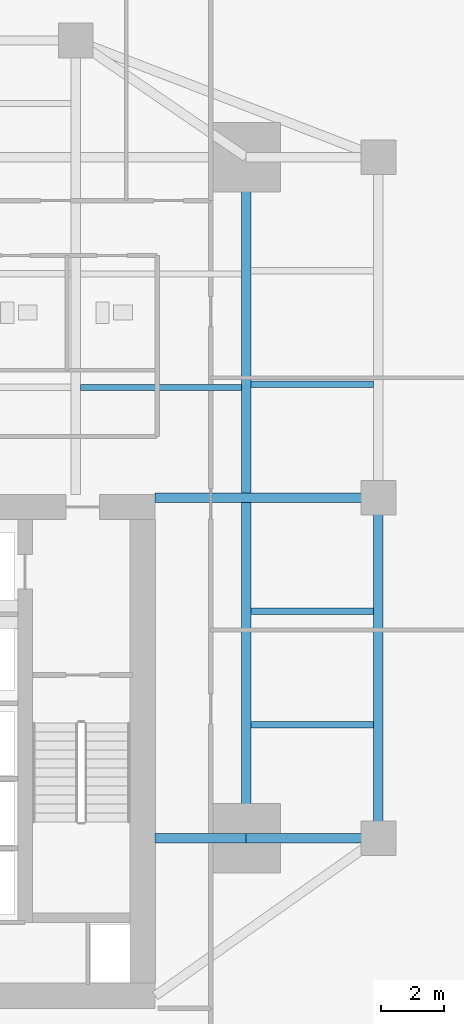
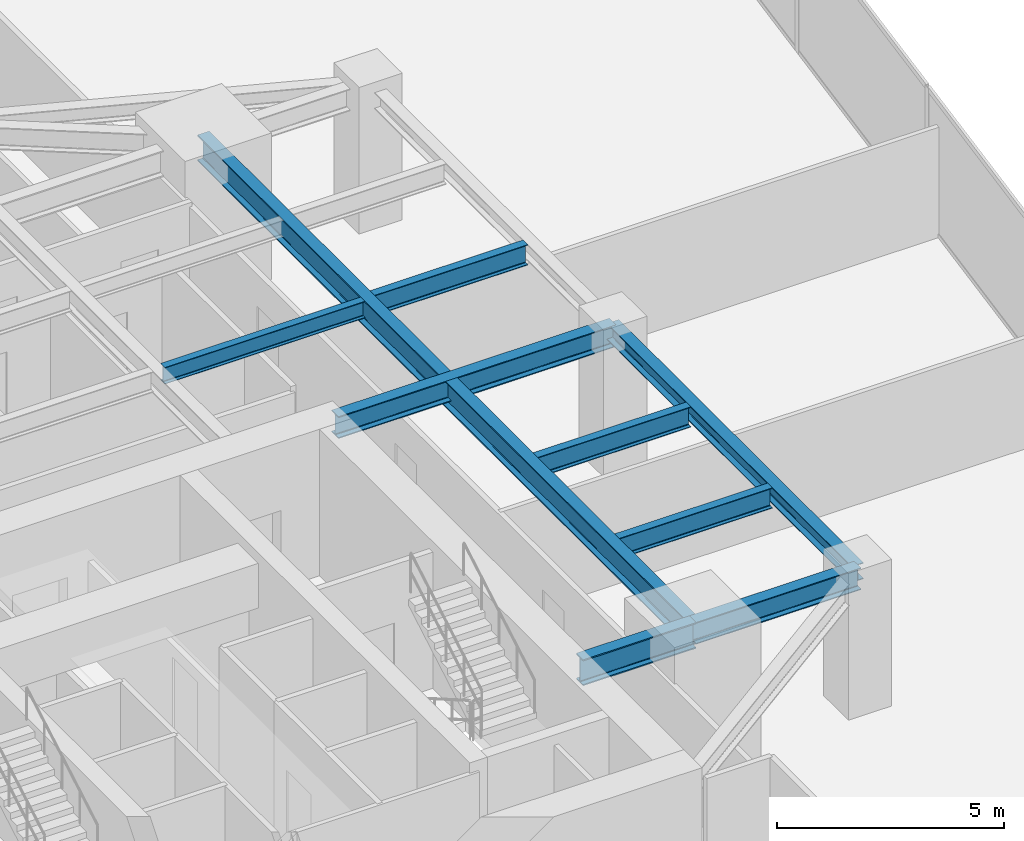
# One storey, part 13 of 28: 9 beams.
"""IFC4 building model written with IfcOpenShell, lengths in metres."""

from ifc_helpers import new_model, si_unit, direction, frame, origin, origin_2d, place, context, subcontext, project, spatial, i_section, extrude, source, transform, mapped, material, material_profile, profile_set, type_object, type_shapes, element, save


model = new_model("IFC4")

# Units and contexts
model_context = context("Model", 3, precision=1e-05, world=origin(), true_north=direction((0.0, 1.0)))
body_context = subcontext(model_context, "Body", "Model", "MODEL_VIEW")
ifc_project = project(units=[si_unit("LENGTHUNIT", "METRE"), si_unit("AREAUNIT", "SQUARE_METRE"), si_unit("VOLUMEUNIT", "CUBIC_METRE"), si_unit("PLANEANGLEUNIT", "RADIAN"), si_unit("MASSUNIT", "GRAM", prefix="KILO")], contexts=[model_context])

# Site, building, storey
site_placement = place(None, origin())
site = spatial("IfcSite", under=ifc_project, at=site_placement, CompositionType="ELEMENT")
building_placement = place(site_placement, origin())
building = spatial("IfcBuilding", under=site, at=building_placement, Name="Krantzveldt Concourse Tower", CompositionType="ELEMENT")
storey_placement = place(building_placement, frame((0.0, 0.0, 64.5)))
storey = spatial("IfcBuildingStorey", under=building, at=storey_placement, Name="L15", CompositionType="ELEMENT", Elevation=64.5)

# Beams
ifc_material_1 = material(Name="Steel S355J2", Category="steel")
ifc_material_profile_1 = material_profile(ifc_material_1, i_section(OverallWidth=0.300048828125, OverallDepth=0.699951171875, WebThickness=0.01708984375, FlangeThickness=0.031982421875, FilletRadius=0.027099609375, at=origin_2d()), Name="Steel S355J2", Category="steel")
ifc_profile_set_1 = profile_set([ifc_material_profile_1], Name="Steel S355J2 - HEB 700")
beam_type_1 = type_object("IfcBeamType", Name="BM-B-HEB700", PredefinedType="BEAM", material=ifc_profile_set_1)
shared_shape_1 = source(origin(), body_context, "Body", "SweptSolid", [
    extrude(i_section(OverallWidth=0.300048828125, OverallDepth=0.699951171875, WebThickness=0.01708984375, FlangeThickness=0.031982421875, FilletRadius=0.027099609375, at=origin_2d()), origin(), (0.0, 0.0, 1.0), 2.880126953125),
])
beam_1_placement = place(storey_placement, frame((43.919921875, 15.89990234375, 3.320068359375), z_axis=(1.0, 0.0, 0.0), x_axis=(0.0, 1.0, 0.0)))
element("IfcBeam", 1, at=beam_1_placement, inside=storey, type_object=beam_type_1, Name="L15 Tower Girder BG-CE1", PredefinedType="BEAM", context=body_context, shape_type="MappedRepresentation", body=[
    mapped(shared_shape_1, transform((0.0, 0.0, 0.0), x_axis=(1.0, 0.0, 0.0), y_axis=(0.0, 1.0, 0.0), z_axis=(0.0, 0.0, 1.0), scale=1.0)),
])
shared_shape_2 = source(origin(), body_context, "Body", "SweptSolid", [
    extrude(i_section(OverallWidth=0.300048828125, OverallDepth=0.699951171875, WebThickness=0.01708984375, FlangeThickness=0.031982421875, FilletRadius=0.027099609375, at=origin_2d()), origin(), (0.0, 0.0, 1.0), 21.60009765625),
])
type_shapes(beam_type_1, [shared_shape_1, shared_shape_2])
beam_2_placement = place(storey_placement, frame((46.800048828125, 15.89990234375, 3.320068359375), z_axis=(0.0, 1.0, 0.0), x_axis=(-1.0, 0.0, 0.0)))
element("IfcBeam", 2, at=beam_2_placement, inside=storey, type_object=beam_type_1, Name="L15 Tower Girder BG-ME", PredefinedType="BEAM", context=body_context, shape_type="MappedRepresentation", body=[
    mapped(shared_shape_2, transform((0.0, 0.0, 0.0), x_axis=(1.0, 0.0, 0.0), y_axis=(0.0, 1.0, 0.0), z_axis=(0.0, 0.0, 1.0), scale=1.0)),
])
ifc_material_2 = material(Name="Steel S355JR", Category="steel")
ifc_material_profile_2 = material_profile(ifc_material_2, i_section(OverallWidth=0.300048828125, OverallDepth=0.590087890625, WebThickness=0.012939453125, FlangeThickness=0.02490234375, FilletRadius=0.027099609375, at=origin_2d()), Name="Steel S355JR", Category="steel")
ifc_profile_set_2 = profile_set([ifc_material_profile_2], Name="Steel S355JR - HEA 600")
beam_type_2 = type_object("IfcBeamType", Name="BM-B-HEA600", PredefinedType="BEAM", material=ifc_profile_set_2)
shared_shape_3 = source(origin(), body_context, "Body", "SweptSolid", [
    extrude(i_section(OverallWidth=0.300048828125, OverallDepth=0.590087890625, WebThickness=0.012939453125, FlangeThickness=0.02490234375, FilletRadius=0.027099609375, at=origin_2d()), origin(), (0.0, 0.0, 1.0), 7.080078125),
])
beam_3_placement = place(storey_placement, frame((43.919921875, 26.699951171875, 3.375), z_axis=(1.0, 0.0, 0.0), x_axis=(0.0, 1.0, 0.0)))
element("IfcBeam", 3, at=beam_3_placement, inside=storey, type_object=beam_type_2, Name="L15 Tower Girder BG-CE2", PredefinedType="BEAM", context=body_context, shape_type="MappedRepresentation", body=[
    mapped(shared_shape_3, transform((0.0, 0.0, 0.0), x_axis=(1.0, 0.0, 0.0), y_axis=(0.0, 1.0, 0.0), z_axis=(0.0, 0.0, 1.0), scale=1.0)),
])
ifc_material_profile_3 = material_profile(ifc_material_2, i_section(OverallWidth=0.300048828125, OverallDepth=0.43994140625, WebThickness=0.011474609375, FlangeThickness=0.02099609375, FilletRadius=0.027099609375, at=origin_2d()), Name="Steel S355JR", Category="steel")
ifc_profile_set_3 = profile_set([ifc_material_profile_3], Name="Steel S355JR - HEA 450")
beam_type_3 = type_object("IfcBeamType", Name="BM-SP-HEA450", PredefinedType="SPANDREL", material=ifc_profile_set_3)
shared_shape_4 = source(origin(), body_context, "Body", "SweptSolid", [
    extrude(i_section(OverallWidth=0.300048828125, OverallDepth=0.43994140625, WebThickness=0.011474609375, FlangeThickness=0.02099609375, FilletRadius=0.027099609375, at=origin_2d()), origin(), (0.0, 0.0, 1.0), 10.800048828125),
])
type_shapes(beam_type_3, [shared_shape_4])
beam_4_placement = place(storey_placement, frame((51.0, 26.699951171875, 3.449951171875), z_axis=(0.0, -1.0, 0.0), x_axis=(1.0, 0.0, 0.0)))
element("IfcBeam", 4, at=beam_4_placement, inside=storey, type_object=beam_type_3, Name="L15 Tower Girder SP-R07", PredefinedType="SPANDREL", context=body_context, shape_type="MappedRepresentation", body=[
    mapped(shared_shape_4, transform((0.0, 0.0, 0.0), x_axis=(1.0, 0.0, 0.0), y_axis=(0.0, 1.0, 0.0), z_axis=(0.0, 0.0, 1.0), scale=1.0)),
])
shared_shape_5 = source(origin(), body_context, "Body", "SweptSolid", [
    extrude(i_section(OverallWidth=0.300048828125, OverallDepth=0.590087890625, WebThickness=0.012939453125, FlangeThickness=0.02490234375, FilletRadius=0.027099609375, at=origin_2d()), origin(), (0.0, 0.0, 1.0), 4.199951171875),
])
type_shapes(beam_type_2, [shared_shape_3, shared_shape_5])
beam_5_placement = place(storey_placement, frame((46.800048828125, 15.89990234375, 3.375), z_axis=(1.0, 0.0, 0.0), x_axis=(0.0, 1.0, 0.0)))
element("IfcBeam", 5, at=beam_5_placement, inside=storey, type_object=beam_type_2, Name="L15 Tower Girder BR-RR1", PredefinedType="BEAM", context=body_context, shape_type="MappedRepresentation", body=[
    mapped(shared_shape_5, transform((0.0, 0.0, 0.0), x_axis=(1.0, 0.0, 0.0), y_axis=(0.0, 1.0, 0.0), z_axis=(0.0, 0.0, 1.0), scale=1.0)),
])
ifc_material_profile_4 = material_profile(ifc_material_2, i_section(OverallWidth=0.18994140625, OverallDepth=0.449951171875, WebThickness=0.009521484375, FlangeThickness=0.0146484375, FilletRadius=0.02099609375, at=origin_2d()), Name="Steel S355JR", Category="steel")
ifc_profile_set_4 = profile_set([ifc_material_profile_4], Name="Steel S355JR - IPE 450")
beam_type_4 = type_object("IfcBeamType", Name="BM-J-IPE450", PredefinedType="JOIST", material=ifc_profile_set_4)
shared_shape_6 = source(origin(), body_context, "Body", "SweptSolid", [
    extrude(i_section(OverallWidth=0.18994140625, OverallDepth=0.449951171875, WebThickness=0.009521484375, FlangeThickness=0.0146484375, FilletRadius=0.02099609375, at=origin_2d()), origin(), (0.0, 0.0, 1.0), 5.099853515625),
])
type_shapes(beam_type_4, [shared_shape_6])
beam_6_placement = place(storey_placement, frame((41.550048828125, 30.199951171875, 3.445068359375), z_axis=(1.0, 0.0, 0.0), x_axis=(0.0, 1.0, 0.0)))
element("IfcBeam", 6, at=beam_6_placement, inside=storey, type_object=beam_type_4, Name="L15 Secondary Floor Joist JN-E1", PredefinedType="JOIST", context=body_context, shape_type="MappedRepresentation", body=[
    mapped(shared_shape_6, transform((0.0, 0.0, 0.0), x_axis=(1.0, 0.0, 0.0), y_axis=(0.0, 1.0, 0.0), z_axis=(0.0, 0.0, 1.0), scale=1.0)),
])
ifc_material_profile_5 = material_profile(ifc_material_2, i_section(OverallWidth=0.2099609375, OverallDepth=0.550048828125, WebThickness=0.010986328125, FlangeThickness=0.01708984375, FilletRadius=0.02392578125, at=origin_2d()), Name="Steel S355JR", Category="steel")
ifc_profile_set_5 = profile_set([ifc_material_profile_5], Name="Steel S355JR - IPE 550")
beam_type_5 = type_object("IfcBeamType", Name="BM-J-IPE550", PredefinedType="JOIST", material=ifc_profile_set_5)
shared_shape_7 = source(origin(), body_context, "Body", "SweptSolid", [
    extrude(i_section(OverallWidth=0.2099609375, OverallDepth=0.550048828125, WebThickness=0.010986328125, FlangeThickness=0.01708984375, FilletRadius=0.02392578125, at=origin_2d()), origin(), (0.0, 0.0, 1.0), 3.900146484375),
])
type_shapes(beam_type_5, [shared_shape_7])
for number, where, z_axis, x_axis, name in (
    (7, (46.949951171875, 19.5, 3.39501953125), (1.0, 0.0, 0.0), (0.0, 1.0, 0.0), "L15 Secondary Floor Joist JE-1"),
    (8, (46.949951171875, 23.10009765625, 3.39501953125), (1.0, 0.0, 0.0), (0.0, 1.0, 0.0), "L15 Secondary Floor Joist JE-2"),
    (9, (46.949951171875, 30.300048828125, 3.39501953125), (1.0, 0.0, 0.0), (0.0, 1.0, 0.0), "L15 Secondary Floor Joist JE-3"),
):
    element("IfcBeam", number, at=place(storey_placement, frame(where, z_axis=z_axis, x_axis=x_axis)), inside=storey, type_object=beam_type_5, Name=name, PredefinedType="JOIST", context=body_context, shape_type="MappedRepresentation", body=[
        mapped(shared_shape_7, transform((0.0, 0.0, 0.0), x_axis=(1.0, 0.0, 0.0), y_axis=(0.0, 1.0, 0.0), z_axis=(0.0, 0.0, 1.0), scale=1.0)),
    ])

save(model, "model.ifc")
